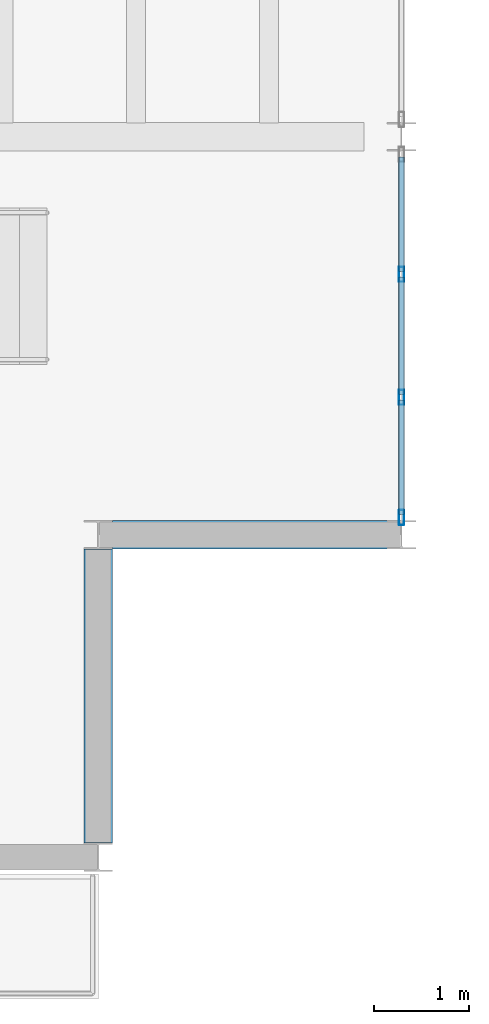
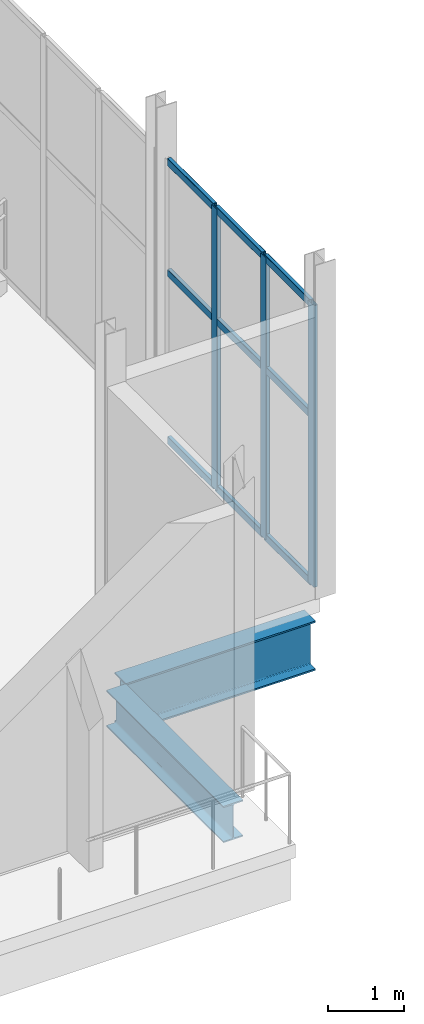
# One storey, part 26 of 95: 12 members, 2 beams, 1 element without a shape of its own.
"""IFC4 building model written with IfcOpenShell, lengths in metres."""

from ifc_helpers import new_model, si_unit, direction, frame, origin, origin_2d, place, context, subcontext, project, spatial, hollow_rectangle, i_section, extrude, material, material_profile, profile_set, type_object, element, aggregate, save


model = new_model("IFC4")

# Units and contexts
model_context = context("Model", 3, precision=1e-05, world=origin(), true_north=direction((0.0, 1.0)))
body_context = subcontext(model_context, "Body", "Model", "MODEL_VIEW")
ifc_project = project(units=[si_unit("LENGTHUNIT", "METRE"), si_unit("AREAUNIT", "SQUARE_METRE"), si_unit("VOLUMEUNIT", "CUBIC_METRE"), si_unit("PLANEANGLEUNIT", "RADIAN"), si_unit("MASSUNIT", "GRAM", prefix="KILO")], contexts=[model_context])

# Site, building, storey
site_placement = place(None, origin())
site = spatial("IfcSite", under=ifc_project, at=site_placement, CompositionType="ELEMENT")
building_placement = place(site_placement, origin())
building = spatial("IfcBuilding", under=site, at=building_placement, Name="Shengluoqiao Park Theatre", CompositionType="ELEMENT")
storey_placement = place(building_placement, origin())
storey = spatial("IfcBuildingStorey", under=building, at=storey_placement, Name="L00", CompositionType="ELEMENT", Elevation=0.0)

# Curtain wall, members
ifc_material_1 = material(Name="Aluminium 6063-T6", Category="aluminium")
curtain_wall_type = type_object("IfcCurtainWallType", Name="ENV-CW-COURT", PredefinedType="NOTDEFINED", material=ifc_material_1)
curtain_wall_placement = place(storey_placement, origin())
curtain_wall = element("IfcCurtainWall", 1, at=curtain_wall_placement, inside=storey, type_object=curtain_wall_type, Name="L00 Curtain Wall CWX-L00-0149", PredefinedType="NOTDEFINED")
ifc_material_profile_1 = material_profile(ifc_material_1, hollow_rectangle(XDim=0.06005859375, YDim=0.159912109375, WallThickness=0.00390625, InnerFilletRadius=0.00390625, OuterFilletRadius=0.008056640625, at=origin_2d()), Name="ALU MULLION 160x60x4")
ifc_profile_set_1 = profile_set([ifc_material_profile_1], Name="Aluminium 6063-T6")
member_type_1 = type_object("IfcMemberType", Name="ENV-MUL-160", PredefinedType="MULLION", material=ifc_profile_set_1)
member_1_placement = place(storey_placement, frame((44.39990234375, 3.583984375, 0.0), z_axis=(0.0, 0.0, 1.0), x_axis=(-1.0, 0.0, 0.0)))
member_1 = element("IfcMember", 2, at=member_1_placement, type_object=member_type_1, Name="CW-05 mullion 1", PredefinedType="MULLION", context=body_context, shape_type="SweptSolid", body=[
    extrude(hollow_rectangle(XDim=0.06005859375, YDim=0.159912109375, WallThickness=0.00390625, InnerFilletRadius=0.00390625, OuterFilletRadius=0.008056640625, at=origin_2d()), origin(), (0.0, 0.0, 1.0), 4.555908203125),
])
member_2_placement = place(storey_placement, frame((44.39990234375, 4.851318359375, 0.0), z_axis=(0.0, 0.0, 1.0), x_axis=(-1.0, 0.0, 0.0)))
member_2 = element("IfcMember", 3, at=member_2_placement, type_object=member_type_1, Name="CW-05 mullion 2", PredefinedType="MULLION", context=body_context, shape_type="SweptSolid", body=[
    extrude(hollow_rectangle(XDim=0.06005859375, YDim=0.159912109375, WallThickness=0.00390625, InnerFilletRadius=0.00390625, OuterFilletRadius=0.008056640625, at=origin_2d()), origin(), (0.0, 0.0, 1.0), 4.555908203125),
])
member_3_placement = place(storey_placement, frame((44.39990234375, 6.148681640625, 0.0), z_axis=(0.0, 0.0, 1.0), x_axis=(-1.0, 0.0, 0.0)))
member_3 = element("IfcMember", 4, at=member_3_placement, type_object=member_type_1, Name="CW-05 mullion 3", PredefinedType="MULLION", context=body_context, shape_type="SweptSolid", body=[
    extrude(hollow_rectangle(XDim=0.06005859375, YDim=0.159912109375, WallThickness=0.00390625, InnerFilletRadius=0.00390625, OuterFilletRadius=0.008056640625, at=origin_2d()), origin(), (0.0, 0.0, 1.0), 4.555908203125),
])
ifc_material_profile_2 = material_profile(ifc_material_1, hollow_rectangle(XDim=0.06005859375, YDim=0.1201171875, WallThickness=0.00390625, InnerFilletRadius=0.00390625, OuterFilletRadius=0.008056640625, at=origin_2d()), Name="ALU TRANSOM 120x60x4")
ifc_profile_set_2 = profile_set([ifc_material_profile_2], Name="Aluminium 6063-T6")
member_type_2 = type_object("IfcMemberType", Name="ENV-TRN-120", PredefinedType="USERDEFINED", material=ifc_profile_set_2)
member_4_placement = place(storey_placement, frame((44.39990234375, 3.614013671875, 0.030029296875), z_axis=(0.0, 1.0, 0.0), x_axis=(-1.0, 0.0, 0.0)))
member_4 = element("IfcMember", 5, at=member_4_placement, type_object=member_type_2, Name="CW-05 transom 1.1", ObjectType="TRANSOM", PredefinedType="USERDEFINED", context=body_context, shape_type="SweptSolid", body=[
    extrude(hollow_rectangle(XDim=0.06005859375, YDim=0.1201171875, WallThickness=0.00390625, InnerFilletRadius=0.00390625, OuterFilletRadius=0.008056640625, at=origin_2d()), origin(), (0.0, 0.0, 1.0), 1.207275390625),
])
member_5_placement = place(storey_placement, frame((44.39990234375, 3.614013671875, 2.73388671875), z_axis=(0.0, 1.0, 0.0), x_axis=(-1.0, 0.0, 0.0)))
member_5 = element("IfcMember", 6, at=member_5_placement, type_object=member_type_2, Name="CW-05 transom 1.2", ObjectType="TRANSOM", PredefinedType="USERDEFINED", context=body_context, shape_type="SweptSolid", body=[
    extrude(hollow_rectangle(XDim=0.06005859375, YDim=0.1201171875, WallThickness=0.00390625, InnerFilletRadius=0.00390625, OuterFilletRadius=0.008056640625, at=origin_2d()), origin(), (0.0, 0.0, 1.0), 1.207275390625),
])
member_6_placement = place(storey_placement, frame((44.39990234375, 3.614013671875, 4.52587890625), z_axis=(0.0, 1.0, 0.0), x_axis=(-1.0, 0.0, 0.0)))
member_6 = element("IfcMember", 7, at=member_6_placement, type_object=member_type_2, Name="CW-05 transom 1.3", ObjectType="TRANSOM", PredefinedType="USERDEFINED", context=body_context, shape_type="SweptSolid", body=[
    extrude(hollow_rectangle(XDim=0.06005859375, YDim=0.1201171875, WallThickness=0.00390625, InnerFilletRadius=0.00390625, OuterFilletRadius=0.008056640625, at=origin_2d()), origin(), (0.0, 0.0, 1.0), 1.207275390625),
])
member_7_placement = place(storey_placement, frame((44.39990234375, 4.88134765625, 0.030029296875), z_axis=(0.0, 1.0, 0.0), x_axis=(-1.0, 0.0, 0.0)))
member_7 = element("IfcMember", 8, at=member_7_placement, type_object=member_type_2, Name="CW-05 transom 2.1", ObjectType="TRANSOM", PredefinedType="USERDEFINED", context=body_context, shape_type="SweptSolid", body=[
    extrude(hollow_rectangle(XDim=0.06005859375, YDim=0.1201171875, WallThickness=0.00390625, InnerFilletRadius=0.00390625, OuterFilletRadius=0.008056640625, at=origin_2d()), origin(), (0.0, 0.0, 1.0), 1.2373046875),
])
member_8_placement = place(storey_placement, frame((44.39990234375, 4.88134765625, 2.73388671875), z_axis=(0.0, 1.0, 0.0), x_axis=(-1.0, 0.0, 0.0)))
member_8 = element("IfcMember", 9, at=member_8_placement, type_object=member_type_2, Name="CW-05 transom 2.2", ObjectType="TRANSOM", PredefinedType="USERDEFINED", context=body_context, shape_type="SweptSolid", body=[
    extrude(hollow_rectangle(XDim=0.06005859375, YDim=0.1201171875, WallThickness=0.00390625, InnerFilletRadius=0.00390625, OuterFilletRadius=0.008056640625, at=origin_2d()), origin(), (0.0, 0.0, 1.0), 1.2373046875),
])
member_9_placement = place(storey_placement, frame((44.39990234375, 4.88134765625, 4.52587890625), z_axis=(0.0, 1.0, 0.0), x_axis=(-1.0, 0.0, 0.0)))
member_9 = element("IfcMember", 10, at=member_9_placement, type_object=member_type_2, Name="CW-05 transom 2.3", ObjectType="TRANSOM", PredefinedType="USERDEFINED", context=body_context, shape_type="SweptSolid", body=[
    extrude(hollow_rectangle(XDim=0.06005859375, YDim=0.1201171875, WallThickness=0.00390625, InnerFilletRadius=0.00390625, OuterFilletRadius=0.008056640625, at=origin_2d()), origin(), (0.0, 0.0, 1.0), 1.2373046875),
])
member_10_placement = place(storey_placement, frame((44.39990234375, 6.1787109375, 0.030029296875), z_axis=(0.0, 1.0, 0.0), x_axis=(-1.0, 0.0, 0.0)))
member_10 = element("IfcMember", 11, at=member_10_placement, type_object=member_type_2, Name="CW-05 transom 3.1", ObjectType="TRANSOM", PredefinedType="USERDEFINED", context=body_context, shape_type="SweptSolid", body=[
    extrude(hollow_rectangle(XDim=0.06005859375, YDim=0.1201171875, WallThickness=0.00390625, InnerFilletRadius=0.00390625, OuterFilletRadius=0.008056640625, at=origin_2d()), origin(), (0.0, 0.0, 1.0), 1.207275390625),
])
member_11_placement = place(storey_placement, frame((44.39990234375, 6.1787109375, 2.73388671875), z_axis=(0.0, 1.0, 0.0), x_axis=(-1.0, 0.0, 0.0)))
member_11 = element("IfcMember", 12, at=member_11_placement, type_object=member_type_2, Name="CW-05 transom 3.2", ObjectType="TRANSOM", PredefinedType="USERDEFINED", context=body_context, shape_type="SweptSolid", body=[
    extrude(hollow_rectangle(XDim=0.06005859375, YDim=0.1201171875, WallThickness=0.00390625, InnerFilletRadius=0.00390625, OuterFilletRadius=0.008056640625, at=origin_2d()), origin(), (0.0, 0.0, 1.0), 1.207275390625),
])
member_12_placement = place(storey_placement, frame((44.39990234375, 6.1787109375, 4.52587890625), z_axis=(0.0, 1.0, 0.0), x_axis=(-1.0, 0.0, 0.0)))
member_12 = element("IfcMember", 13, at=member_12_placement, type_object=member_type_2, Name="CW-05 transom 3.3", ObjectType="TRANSOM", PredefinedType="USERDEFINED", context=body_context, shape_type="SweptSolid", body=[
    extrude(hollow_rectangle(XDim=0.06005859375, YDim=0.1201171875, WallThickness=0.00390625, InnerFilletRadius=0.00390625, OuterFilletRadius=0.008056640625, at=origin_2d()), origin(), (0.0, 0.0, 1.0), 1.207275390625),
])
aggregate(curtain_wall, [member_1, member_2, member_3, member_4, member_5, member_6, member_7, member_8, member_9, member_10, member_11, member_12])

# Beams
ifc_material_2 = material(Name="Steel Q355", Category="steel")
ifc_material_profile_3 = material_profile(ifc_material_2, i_section(OverallWidth=0.300048828125, OverallDepth=0.587890625, WebThickness=0.011962890625, FlangeThickness=0.02001953125, FilletRadius=0.02392578125, at=origin_2d()), Name="HM 588x300x12x20")
ifc_profile_set_3 = profile_set([ifc_material_profile_3], Name="Steel Q355")
beam_type_1 = type_object("IfcBeamType", Name="STR-BM-G-HM588", PredefinedType="BEAM", material=ifc_profile_set_3)
beam_1_placement = place(storey_placement, frame((41.199951171875, 0.14990234375, -0.634033203125), z_axis=(0.0, 1.0, 0.0), x_axis=(-1.0, 0.0, 0.0)))
element("IfcBeam", 14, at=beam_1_placement, inside=storey, type_object=beam_type_1, Name="L00 V4 Corner Step Girder 001", PredefinedType="BEAM", context=body_context, shape_type="SweptSolid", body=[
    extrude(i_section(OverallWidth=0.300048828125, OverallDepth=0.587890625, WebThickness=0.011962890625, FlangeThickness=0.02001953125, FilletRadius=0.02392578125, at=origin_2d()), origin(), (0.0, 0.0, 1.0), 3.10009765625),
])
ifc_material_3 = material(Name="Steel Q390", Category="steel")
ifc_material_profile_4 = material_profile(ifc_material_3, i_section(OverallWidth=0.300048828125, OverallDepth=0.800048828125, WebThickness=0.013916015625, FlangeThickness=0.02587890625, FilletRadius=0.02587890625, at=origin_2d()), Name="HN 800x300x14x26")
ifc_profile_set_4 = profile_set([ifc_material_profile_4], Name="Steel Q390")
beam_type_2 = type_object("IfcBeamType", Name="STR-BM-G-HN800", PredefinedType="BEAM", material=ifc_profile_set_4)
beam_2_placement = place(storey_placement, frame((41.35009765625, 3.39990234375, -0.739990234375), z_axis=(1.0, 0.0, 0.0), x_axis=(0.0, 1.0, 0.0)))
element("IfcBeam", 15, at=beam_2_placement, inside=storey, type_object=beam_type_2, Name="L00 V4 Corner Step Girder 002", PredefinedType="BEAM", context=body_context, shape_type="SweptSolid", body=[
    extrude(i_section(OverallWidth=0.300048828125, OverallDepth=0.800048828125, WebThickness=0.013916015625, FlangeThickness=0.02587890625, FilletRadius=0.02587890625, at=origin_2d()), origin(), (0.0, 0.0, 1.0), 2.89990234375),
])

save(model, "model.ifc")
